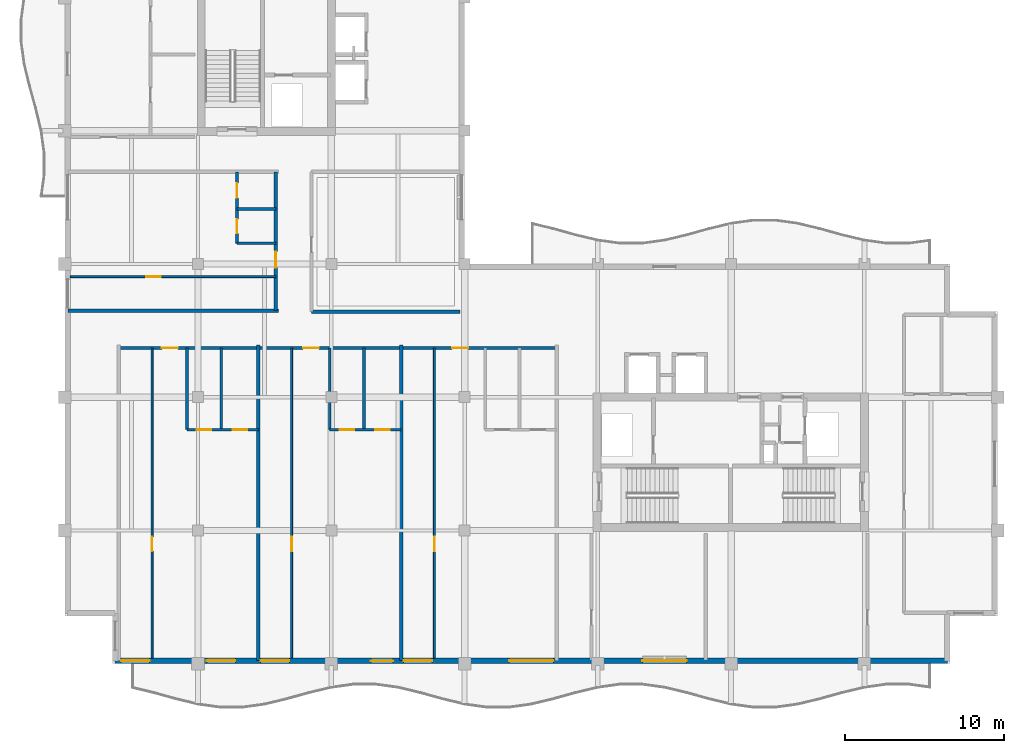
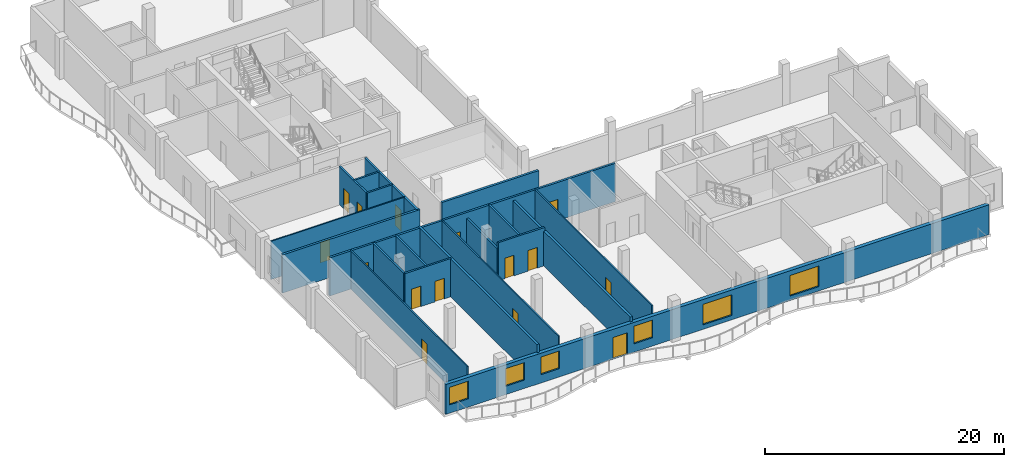
# One storey, part 3 of 11: 20 walls, 15 doors, 6 windows, 21 openings.
"""IFC4 building model written with IfcOpenShell, lengths in metres."""

from ifc_helpers import new_model, si_unit, direction, frame, frame_2d, origin, place, context, subcontext, project, spatial, rectangle, extrude, material, layer, layer_set, type_object, element, fill, save


model = new_model("IFC4")

# Units and contexts
model_context = context("Model", 3, precision=1e-05, world=origin(), true_north=direction((0.0, 1.0)))
body_context = subcontext(model_context, "Body", "Model", "MODEL_VIEW")
ifc_project = project(units=[si_unit("LENGTHUNIT", "METRE"), si_unit("AREAUNIT", "SQUARE_METRE"), si_unit("VOLUMEUNIT", "CUBIC_METRE"), si_unit("PLANEANGLEUNIT", "RADIAN"), si_unit("MASSUNIT", "GRAM", prefix="KILO")], contexts=[model_context])

# Site, building, storey
site_placement = place(None, origin())
site = spatial("IfcSite", under=ifc_project, at=site_placement, CompositionType="ELEMENT")
building_placement = place(site_placement, origin())
building = spatial("IfcBuilding", under=site, at=building_placement, Name="Koriwani Terraces Tower", CompositionType="ELEMENT")
storey_placement = place(building_placement, frame((0.0, 0.0, 359.60009765625)))
storey = spatial("IfcBuildingStorey", under=building, at=storey_placement, Name="L89", CompositionType="ELEMENT", Elevation=359.60009765625)

# Wall, openings, doors
ifc_material_1 = material(Name="Autoclaved Cellular Concrete Blockwork", Category="masonry")
ifc_layer_1 = layer(ifc_material_1, 0.199951171875, Name="Autoclaved Cellular Concrete Blockwork")
ifc_layer_set_1 = layer_set([ifc_layer_1], Name="Autoclaved Cellular Concrete Blockwork")
wall_type_1 = type_object("IfcWallType", Name="WALL_CORRIDOR_200", PredefinedType="PARTITIONING", material=ifc_layer_set_1)
wall_1_placement = place(storey_placement, frame((11.800048828125, 28.300048828125, 0.0), z_axis=(0.0, 0.0, 1.0), x_axis=(1.0, 0.0, 0.0)))
wall_1 = element("IfcWall", 1, at=wall_1_placement, inside=storey, type_object=wall_type_1, Name="L89 Interior Wall WRCOR-L89-SW-0", PredefinedType="PARTITIONING", context=body_context, shape_type="SweptSolid", body=[
    extrude(rectangle(XDim=27.599853515625, YDim=0.199951171875, at=frame_2d((13.7998046875, 0.0))), origin(), (0.0, 0.0, 1.0), 3.89990234375),
])
opening_1_placement = place(wall_1_placement, frame((2.719970703125, 0.0, 0.0)))
opening_1 = element("IfcOpeningElement", 2, at=opening_1_placement, cuts=wall_1, Name="Opening D-05", PredefinedType="OPENING", context=body_context, shape_type="SweptSolid", body=[
    extrude(rectangle(XDim=1.0, YDim=2.14990234375, at=frame_2d((0.5, 1.074951171875))), frame((0.0, 0.10986328125, 0.0), z_axis=(0.0, -1.0, 0.0), x_axis=(1.0, 0.0, 0.0)), (0.0, 0.0, 1.0), 0.219970703125),
])
opening_2_placement = place(wall_1_placement, frame((11.6201171875, 0.0, 0.0)))
opening_2 = element("IfcOpeningElement", 3, at=opening_2_placement, cuts=wall_1, Name="Opening D-05", PredefinedType="OPENING", context=body_context, shape_type="SweptSolid", body=[
    extrude(rectangle(XDim=1.0, YDim=2.14990234375, at=frame_2d((0.5, 1.074951171875))), frame((0.0, 0.10986328125, 0.0), z_axis=(0.0, -1.0, 0.0), x_axis=(1.0, 0.0, 0.0)), (0.0, 0.0, 1.0), 0.219970703125),
])
opening_3_placement = place(wall_1_placement, frame((21.02001953125, 0.0, 0.0)))
opening_3 = element("IfcOpeningElement", 4, at=opening_3_placement, cuts=wall_1, Name="Opening D-05", PredefinedType="OPENING", context=body_context, shape_type="SweptSolid", body=[
    extrude(rectangle(XDim=1.0, YDim=2.14990234375, at=frame_2d((0.5, 1.074951171875))), frame((0.0, 0.10986328125, 0.0), z_axis=(0.0, -1.0, 0.0), x_axis=(1.0, 0.0, 0.0)), (0.0, 0.0, 1.0), 0.219970703125),
])
ifc_material_2 = material(Name="Architectural Oak Fire Door", Category="wood")
door_type_1 = type_object("IfcDoorType", Name="DOOR_SUITE_ENTRY_1000X2150", OperationType="NOTDEFINED", PredefinedType="DOOR", material=ifc_material_2)
door_1_placement = place(opening_1_placement, origin())
door_1 = element("IfcDoor", 5, at=door_1_placement, inside=storey, type_object=door_type_1, Name="Penthouse 89SW1 Entrance Door", OperationType="SINGLE_SWING_RIGHT", OverallHeight=2.14990234375, OverallWidth=1.0, PredefinedType="DOOR", context=body_context, shape_type="SweptSolid", body=[
    extrude(rectangle(XDim=1.0, YDim=2.14990234375, at=frame_2d((0.5, 1.074951171875))), frame((0.0, 0.02490234375, 0.0), z_axis=(0.0, -1.0, 0.0), x_axis=(1.0, 0.0, 0.0)), (0.0, 0.0, 1.0), 0.050048828125),
])
fill(opening_1, door_1)
door_2_placement = place(opening_2_placement, origin())
door_2 = element("IfcDoor", 6, at=door_2_placement, inside=storey, type_object=door_type_1, Name="Penthouse 89SW2 Entrance Door", OperationType="SINGLE_SWING_RIGHT", OverallHeight=2.14990234375, OverallWidth=1.0, PredefinedType="DOOR", context=body_context, shape_type="SweptSolid", body=[
    extrude(rectangle(XDim=1.0, YDim=2.14990234375, at=frame_2d((0.5, 1.074951171875))), frame((0.0, 0.02490234375, 0.0), z_axis=(0.0, -1.0, 0.0), x_axis=(1.0, 0.0, 0.0)), (0.0, 0.0, 1.0), 0.050048828125),
])
fill(opening_2, door_2)
door_3_placement = place(opening_3_placement, origin())
door_3 = element("IfcDoor", 7, at=door_3_placement, inside=storey, type_object=door_type_1, Name="Penthouse 89SW3 Entrance Door", OperationType="SINGLE_SWING_RIGHT", OverallHeight=2.14990234375, OverallWidth=1.0, PredefinedType="DOOR", context=body_context, shape_type="SweptSolid", body=[
    extrude(rectangle(XDim=1.0, YDim=2.14990234375, at=frame_2d((0.5, 1.074951171875))), frame((0.0, 0.02490234375, 0.0), z_axis=(0.0, -1.0, 0.0), x_axis=(1.0, 0.0, 0.0)), (0.0, 0.0, 1.0), 0.050048828125),
])
fill(opening_3, door_3)

# Wall, opening, door
wall_2_placement = place(storey_placement, frame((21.699951171875, 30.64990234375, 0.0), z_axis=(0.0, 0.0, 1.0), x_axis=(0.0, 1.0, 0.0)))
wall_2 = element("IfcWall", 8, at=wall_2_placement, inside=storey, type_object=wall_type_1, Name="L89 Interior Wall WRCOR-L89-NE-0", PredefinedType="PARTITIONING", context=body_context, shape_type="SweptSolid", body=[
    extrude(rectangle(XDim=8.75, YDim=0.199951171875, at=frame_2d((4.375, 0.0))), origin(), (0.0, 0.0, 1.0), 3.89990234375),
])
opening_4_placement = place(wall_2_placement, frame((2.719970703125, 0.0, 0.0)))
opening_4 = element("IfcOpeningElement", 9, at=opening_4_placement, cuts=wall_2, Name="Opening D-05", PredefinedType="OPENING", context=body_context, shape_type="SweptSolid", body=[
    extrude(rectangle(XDim=1.0, YDim=2.14990234375, at=frame_2d((0.5, 1.074951171875))), frame((0.0, 0.10986328125, 0.0), z_axis=(0.0, -1.0, 0.0), x_axis=(1.0, 0.0, 0.0)), (0.0, 0.0, 1.0), 0.219970703125),
])
door_4_placement = place(opening_4_placement, origin())
door_4 = element("IfcDoor", 10, at=door_4_placement, inside=storey, type_object=door_type_1, Name="Penthouse 89NE1 Entrance Door", OperationType="SINGLE_SWING_RIGHT", OverallHeight=2.14990234375, OverallWidth=1.0, PredefinedType="DOOR", context=body_context, shape_type="SweptSolid", body=[
    extrude(rectangle(XDim=1.0, YDim=2.14990234375, at=frame_2d((0.5, 1.074951171875))), frame((0.0, 0.02490234375, 0.0), z_axis=(0.0, -1.0, 0.0), x_axis=(1.0, 0.0, 0.0)), (0.0, 0.0, 1.0), 0.050048828125),
])
fill(opening_4, door_4)

# Walls
ifc_layer_2 = layer(ifc_material_1, 0.219970703125, Name="Autoclaved Cellular Concrete Blockwork")
ifc_layer_set_2 = layer_set([ifc_layer_2], Name="Autoclaved Cellular Concrete Blockwork")
wall_type_2 = type_object("IfcWallType", Name="WALL_DEMISING_220", PredefinedType="PARTITIONING", material=ifc_layer_set_2)
wall_3_placement = place(storey_placement, frame((23.949951171875, 30.60009765625, 0.0), z_axis=(0.0, 0.0, 1.0), x_axis=(1.0, 0.0, 0.0)))
element("IfcWall", 11, at=wall_3_placement, inside=storey, type_object=wall_type_2, Name="L89 Interior Wall WIC4WS-L89", PredefinedType="PARTITIONING", context=body_context, shape_type="SweptSolid", body=[
    extrude(rectangle(XDim=9.35009765625, YDim=0.219970703125, at=frame_2d((4.675048828125, 0.0))), origin(), (0.0, 0.0, 1.0), 3.89990234375),
])
wall_4_placement = place(storey_placement, frame((20.60009765625, 8.60009765625, 0.0), z_axis=(0.0, 0.0, 1.0), x_axis=(0.0, 1.0, 0.0)))
element("IfcWall", 12, at=wall_4_placement, inside=storey, type_object=wall_type_2, Name="L89 Interior Wall WRDEM-L89-SW-1", PredefinedType="PARTITIONING", context=body_context, shape_type="SweptSolid", body=[
    extrude(rectangle(XDim=19.8798828125, YDim=0.219970703125, at=frame_2d((9.93994140625, 0.0))), origin(), (0.0, 0.0, 1.0), 3.89990234375),
])
wall_5_placement = place(storey_placement, frame((29.60009765625, 8.60009765625, 0.0), z_axis=(0.0, 0.0, 1.0), x_axis=(0.0, 1.0, 0.0)))
element("IfcWall", 13, at=wall_5_placement, inside=storey, type_object=wall_type_2, Name="L89 Interior Wall WRDEM-L89-SW-2", PredefinedType="PARTITIONING", context=body_context, shape_type="SweptSolid", body=[
    extrude(rectangle(XDim=19.8798828125, YDim=0.219970703125, at=frame_2d((9.93994140625, 0.0))), origin(), (0.0, 0.0, 1.0), 3.5458984375),
])
wall_6_placement = place(storey_placement, frame((8.60009765625, 30.64990234375, 0.0), z_axis=(0.0, 0.0, 1.0), x_axis=(1.0, 0.0, 0.0)))
element("IfcWall", 14, at=wall_6_placement, inside=storey, type_object=wall_type_2, Name="L89 Interior Wall WRDEM-L89-NE-0", PredefinedType="PARTITIONING", context=body_context, shape_type="SweptSolid", body=[
    extrude(rectangle(XDim=13.27978515625, YDim=0.219970703125, at=frame_2d((6.639892578125, 0.0))), origin(), (0.0, 0.0, 1.0), 3.89990234375),
])

# Wall, openings, door, windows
ifc_material_3 = material(Name="Concrete C50/60", Category="concrete")
ifc_layer_3 = layer(ifc_material_3, 0.35009765625, Name="Concrete C50/60")
ifc_layer_set_3 = layer_set([ifc_layer_3], Name="Concrete C50/60")
wall_type_3 = type_object("IfcWallType", Name="WALL_EXT_BRUTALIST_350", PredefinedType="STANDARD", material=ifc_layer_set_3)
wall_7_placement = place(storey_placement, frame((64.02490234375, 8.574951171875, 0.0), z_axis=(0.0, 0.0, 1.0), x_axis=(-1.0, 0.0, 0.0)))
wall_7 = element("IfcWall", 15, at=wall_7_placement, inside=storey, type_object=wall_type_3, Name="L89 Fair-Faced Brutalist Exterior Wall (S)", PredefinedType="STANDARD", context=body_context, shape_type="SweptSolid", body=[
    extrude(rectangle(XDim=52.449951171875, YDim=0.35009765625, at=frame_2d((26.22509765625, 0.0))), origin(), (0.0, 0.0, 1.0), 3.044921875),
])
opening_5_placement = place(wall_7_placement, frame((34.925048828125, 0.0, 0.0)))
opening_5 = element("IfcOpeningElement", 16, at=opening_5_placement, cuts=wall_7, Name="Opening D-09", PredefinedType="OPENING", context=body_context, shape_type="SweptSolid", body=[
    extrude(rectangle(XDim=1.39990234375, YDim=2.199951171875, at=frame_2d((0.699951171875, 1.10009765625))), frame((0.0, 0.18505859375, 0.0), z_axis=(0.0, -1.0, 0.0), x_axis=(1.0, 0.0, 0.0)), (0.0, 0.0, 1.0), 0.3701171875),
])
opening_6_placement = place(wall_7_placement, frame((24.824951171875, 0.0, 0.449951171875)))
opening_6 = element("IfcOpeningElement", 17, at=opening_6_placement, cuts=wall_7, Name="Opening W-05", PredefinedType="OPENING", context=body_context, shape_type="SweptSolid", body=[
    extrude(rectangle(XDim=2.800048828125, YDim=2.10009765625, at=frame_2d((1.39990234375, 1.050048828125))), frame((0.0, 0.18505859375, 0.0), z_axis=(0.0, -1.0, 0.0), x_axis=(1.0, 0.0, 0.0)), (0.0, 0.0, 1.0), 0.3701171875),
])
opening_7_placement = place(wall_7_placement, frame((16.425048828125, 0.0, 0.449951171875)))
opening_7 = element("IfcOpeningElement", 18, at=opening_7_placement, cuts=wall_7, Name="Opening W-05", PredefinedType="OPENING", context=body_context, shape_type="SweptSolid", body=[
    extrude(rectangle(XDim=2.800048828125, YDim=2.10009765625, at=frame_2d((1.39990234375, 1.050048828125))), frame((0.0, 0.18505859375, 0.0), z_axis=(0.0, -1.0, 0.0), x_axis=(1.0, 0.0, 0.0)), (0.0, 0.0, 1.0), 0.3701171875),
])
opening_8_placement = place(wall_7_placement, frame((50.27490234375, 0.0, 0.85009765625)))
opening_8 = element("IfcOpeningElement", 19, at=opening_8_placement, cuts=wall_7, Name="Opening W-04", PredefinedType="OPENING", context=body_context, shape_type="SweptSolid", body=[
    extrude(rectangle(XDim=1.800048828125, YDim=1.800048828125, at=frame_2d((0.89990234375, 0.89990234375))), frame((0.0, 0.18505859375, 0.0), z_axis=(0.0, -1.0, 0.0), x_axis=(1.0, 0.0, 0.0)), (0.0, 0.0, 1.0), 0.3701171875),
])
opening_9_placement = place(wall_7_placement, frame((44.875, 0.0, 0.85009765625)))
opening_9 = element("IfcOpeningElement", 20, at=opening_9_placement, cuts=wall_7, Name="Opening W-04", PredefinedType="OPENING", context=body_context, shape_type="SweptSolid", body=[
    extrude(rectangle(XDim=1.800048828125, YDim=1.800048828125, at=frame_2d((0.89990234375, 0.89990234375))), frame((0.0, 0.18505859375, 0.0), z_axis=(0.0, -1.0, 0.0), x_axis=(1.0, 0.0, 0.0)), (0.0, 0.0, 1.0), 0.3701171875),
])
opening_10_placement = place(wall_7_placement, frame((41.47509765625, 0.0, 0.85009765625)))
opening_10 = element("IfcOpeningElement", 21, at=opening_10_placement, cuts=wall_7, Name="Opening W-04", PredefinedType="OPENING", context=body_context, shape_type="SweptSolid", body=[
    extrude(rectangle(XDim=1.800048828125, YDim=1.800048828125, at=frame_2d((0.89990234375, 0.89990234375))), frame((0.0, 0.18505859375, 0.0), z_axis=(0.0, -1.0, 0.0), x_axis=(1.0, 0.0, 0.0)), (0.0, 0.0, 1.0), 0.3701171875),
])
opening_11_placement = place(wall_7_placement, frame((32.47509765625, 0.0, 0.85009765625)))
opening_11 = element("IfcOpeningElement", 22, at=opening_11_placement, cuts=wall_7, Name="Opening W-04", PredefinedType="OPENING", context=body_context, shape_type="SweptSolid", body=[
    extrude(rectangle(XDim=1.800048828125, YDim=1.800048828125, at=frame_2d((0.89990234375, 0.89990234375))), frame((0.0, 0.18505859375, 0.0), z_axis=(0.0, -1.0, 0.0), x_axis=(1.0, 0.0, 0.0)), (0.0, 0.0, 1.0), 0.3701171875),
])
ifc_material_4 = material(Name="Anodised Bronze Aluminium", Category="aluminium")
door_type_2 = type_object("IfcDoorType", Name="DOOR_BALCONY_GLAZED_1400X2200", OperationType="NOTDEFINED", PredefinedType="DOOR", material=ifc_material_4)
door_5_placement = place(opening_5_placement, origin())
door_5 = element("IfcDoor", 23, at=door_5_placement, inside=storey, type_object=door_type_2, Name="L89 South Balcony Glazed Door", OperationType="SINGLE_SWING_LEFT", OverallHeight=2.199951171875, OverallWidth=1.39990234375, PredefinedType="DOOR", context=body_context, shape_type="SweptSolid", body=[
    extrude(rectangle(XDim=1.39990234375, YDim=2.199951171875, at=frame_2d((0.699951171875, 1.10009765625))), frame((0.0, 0.02490234375, 0.0), z_axis=(0.0, -1.0, 0.0), x_axis=(1.0, 0.0, 0.0)), (0.0, 0.0, 1.0), 0.050048828125),
])
fill(opening_5, door_5)
ifc_material_5 = material(Name="Tempered Laminated Low-E Glass", Category="glass")
window_type_1 = type_object("IfcWindowType", Name="WIN_PENTHOUSE_2800X2100", PartitioningType="TRIPLE_PANEL_VERTICAL", PredefinedType="WINDOW", material=ifc_material_5)
window_1_placement = place(opening_6_placement, origin())
window_1 = element("IfcWindow", 24, at=window_1_placement, inside=storey, type_object=window_type_1, Name="L89 Exterior Window (S-9)", OverallHeight=2.10009765625, OverallWidth=2.800048828125, PartitioningType="SINGLE_PANEL", PredefinedType="WINDOW", context=body_context, shape_type="SweptSolid", body=[
    extrude(rectangle(XDim=2.800048828125, YDim=2.10009765625, at=frame_2d((1.39990234375, 1.050048828125))), frame((0.0, 0.030029296875, 0.0), z_axis=(0.0, -1.0, 0.0), x_axis=(1.0, 0.0, 0.0)), (0.0, 0.0, 1.0), 0.06005859375),
])
fill(opening_6, window_1)
window_2_placement = place(opening_7_placement, origin())
window_2 = element("IfcWindow", 25, at=window_2_placement, inside=storey, type_object=window_type_1, Name="L89 Exterior Window (S-12)", OverallHeight=2.10009765625, OverallWidth=2.800048828125, PartitioningType="SINGLE_PANEL", PredefinedType="WINDOW", context=body_context, shape_type="SweptSolid", body=[
    extrude(rectangle(XDim=2.800048828125, YDim=2.10009765625, at=frame_2d((1.39990234375, 1.050048828125))), frame((0.0, 0.030029296875, 0.0), z_axis=(0.0, -1.0, 0.0), x_axis=(1.0, 0.0, 0.0)), (0.0, 0.0, 1.0), 0.06005859375),
])
fill(opening_7, window_2)
window_type_2 = type_object("IfcWindowType", Name="WIN_RES_BED_1800X1800", PartitioningType="DOUBLE_PANEL_VERTICAL", PredefinedType="WINDOW", material=ifc_material_5)
window_3_placement = place(opening_8_placement, origin())
window_3 = element("IfcWindow", 26, at=window_3_placement, inside=storey, type_object=window_type_2, Name="L89 Exterior Window (S-R33)", OverallHeight=1.800048828125, OverallWidth=1.800048828125, PartitioningType="SINGLE_PANEL", PredefinedType="WINDOW", context=body_context, shape_type="SweptSolid", body=[
    extrude(rectangle(XDim=1.800048828125, YDim=1.800048828125, at=frame_2d((0.89990234375, 0.89990234375))), frame((0.0, 0.030029296875, 0.0), z_axis=(0.0, -1.0, 0.0), x_axis=(1.0, 0.0, 0.0)), (0.0, 0.0, 1.0), 0.06005859375),
])
fill(opening_8, window_3)
window_4_placement = place(opening_9_placement, origin())
window_4 = element("IfcWindow", 27, at=window_4_placement, inside=storey, type_object=window_type_2, Name="L89 Exterior Window (S-R34)", OverallHeight=1.800048828125, OverallWidth=1.800048828125, PartitioningType="SINGLE_PANEL", PredefinedType="WINDOW", context=body_context, shape_type="SweptSolid", body=[
    extrude(rectangle(XDim=1.800048828125, YDim=1.800048828125, at=frame_2d((0.89990234375, 0.89990234375))), frame((0.0, 0.030029296875, 0.0), z_axis=(0.0, -1.0, 0.0), x_axis=(1.0, 0.0, 0.0)), (0.0, 0.0, 1.0), 0.06005859375),
])
fill(opening_9, window_4)
window_5_placement = place(opening_10_placement, origin())
window_5 = element("IfcWindow", 28, at=window_5_placement, inside=storey, type_object=window_type_2, Name="L89 Exterior Window (S-R37)", OverallHeight=1.800048828125, OverallWidth=1.800048828125, PartitioningType="SINGLE_PANEL", PredefinedType="WINDOW", context=body_context, shape_type="SweptSolid", body=[
    extrude(rectangle(XDim=1.800048828125, YDim=1.800048828125, at=frame_2d((0.89990234375, 0.89990234375))), frame((0.0, 0.030029296875, 0.0), z_axis=(0.0, -1.0, 0.0), x_axis=(1.0, 0.0, 0.0)), (0.0, 0.0, 1.0), 0.06005859375),
])
fill(opening_10, window_5)
window_6_placement = place(opening_11_placement, origin())
window_6 = element("IfcWindow", 29, at=window_6_placement, inside=storey, type_object=window_type_2, Name="L89 Exterior Window (S-R41)", OverallHeight=1.800048828125, OverallWidth=1.800048828125, PartitioningType="SINGLE_PANEL", PredefinedType="WINDOW", context=body_context, shape_type="SweptSolid", body=[
    extrude(rectangle(XDim=1.800048828125, YDim=1.800048828125, at=frame_2d((0.89990234375, 0.89990234375))), frame((0.0, 0.030029296875, 0.0), z_axis=(0.0, -1.0, 0.0), x_axis=(1.0, 0.0, 0.0)), (0.0, 0.0, 1.0), 0.06005859375),
])
fill(opening_11, window_6)

# Wall, opening, door
ifc_material_6 = material(Name="Fire-Rated Acoustic Gypsum Partition", Category="masonry")
ifc_layer_4 = layer(ifc_material_6, 0.125, Name="Fire-Rated Acoustic Gypsum Partition")
ifc_layer_set_4 = layer_set([ifc_layer_4], Name="Fire-Rated Acoustic Gypsum Partition")
wall_type_4 = type_object("IfcWallType", Name="WALL_INT_125", PredefinedType="PARTITIONING", material=ifc_layer_set_4)
wall_8_placement = place(storey_placement, frame((13.89990234375, 8.75, 0.0), z_axis=(0.0, 0.0, 1.0), x_axis=(0.0, 1.0, 0.0)))
wall_8 = element("IfcWall", 30, at=wall_8_placement, inside=storey, type_object=wall_type_4, Name="L89 Interior Wall WRBED1-L89-SW-0", PredefinedType="PARTITIONING", context=body_context, shape_type="SweptSolid", body=[
    extrude(rectangle(XDim=19.550048828125, YDim=0.125, at=frame_2d((9.77490234375, 0.0))), origin(), (0.0, 0.0, 1.0), 3.89990234375),
])
opening_12_placement = place(wall_8_placement, frame((6.739990234375, 0.0, 0.0)))
opening_12 = element("IfcOpeningElement", 31, at=opening_12_placement, cuts=wall_8, Name="Opening D-06", PredefinedType="OPENING", context=body_context, shape_type="SweptSolid", body=[
    extrude(rectangle(XDim=0.919921875, YDim=2.10009765625, at=frame_2d((0.4599609375, 1.050048828125))), frame((0.0, 0.072509765625, 0.0), z_axis=(0.0, -1.0, 0.0), x_axis=(1.0, 0.0, 0.0)), (0.0, 0.0, 1.0), 0.14501953125),
])
door_type_3 = type_object("IfcDoorType", Name="DOOR_ROOM_INT_920X2100", OperationType="NOTDEFINED", PredefinedType="DOOR", material=ifc_material_2)
door_6_placement = place(opening_12_placement, origin())
door_6 = element("IfcDoor", 32, at=door_6_placement, inside=storey, type_object=door_type_3, Name="Penthouse 89SW1 Master Bedroom Door", OperationType="SINGLE_SWING_LEFT", OverallHeight=2.10009765625, OverallWidth=0.919921875, PredefinedType="DOOR", context=body_context, shape_type="SweptSolid", body=[
    extrude(rectangle(XDim=0.919921875, YDim=2.10009765625, at=frame_2d((0.4599609375, 1.050048828125))), frame((0.0, 0.02490234375, 0.0), z_axis=(0.0, -1.0, 0.0), x_axis=(1.0, 0.0, 0.0)), (0.0, 0.0, 1.0), 0.050048828125),
])
fill(opening_12, door_6)

wall_9_placement = place(storey_placement, frame((22.699951171875, 8.75, 0.0), z_axis=(0.0, 0.0, 1.0), x_axis=(0.0, 1.0, 0.0)))
wall_9 = element("IfcWall", 33, at=wall_9_placement, inside=storey, type_object=wall_type_4, Name="L89 Interior Wall WRBED1-L89-SW-1", PredefinedType="PARTITIONING", context=body_context, shape_type="SweptSolid", body=[
    extrude(rectangle(XDim=19.550048828125, YDim=0.125, at=frame_2d((9.77490234375, 0.0))), origin(), (0.0, 0.0, 1.0), 3.89990234375),
])
opening_13_placement = place(wall_9_placement, frame((6.739990234375, 0.0, 0.0)))
opening_13 = element("IfcOpeningElement", 34, at=opening_13_placement, cuts=wall_9, Name="Opening D-06", PredefinedType="OPENING", context=body_context, shape_type="SweptSolid", body=[
    extrude(rectangle(XDim=0.919921875, YDim=2.10009765625, at=frame_2d((0.4599609375, 1.050048828125))), frame((0.0, 0.072509765625, 0.0), z_axis=(0.0, -1.0, 0.0), x_axis=(1.0, 0.0, 0.0)), (0.0, 0.0, 1.0), 0.14501953125),
])
door_7_placement = place(opening_13_placement, origin())
door_7 = element("IfcDoor", 35, at=door_7_placement, inside=storey, type_object=door_type_3, Name="Penthouse 89SW2 Master Bedroom Door", OperationType="SINGLE_SWING_LEFT", OverallHeight=2.10009765625, OverallWidth=0.919921875, PredefinedType="DOOR", context=body_context, shape_type="SweptSolid", body=[
    extrude(rectangle(XDim=0.919921875, YDim=2.10009765625, at=frame_2d((0.4599609375, 1.050048828125))), frame((0.0, 0.02490234375, 0.0), z_axis=(0.0, -1.0, 0.0), x_axis=(1.0, 0.0, 0.0)), (0.0, 0.0, 1.0), 0.050048828125),
])
fill(opening_13, door_7)

wall_10_placement = place(storey_placement, frame((31.699951171875, 8.75, 0.0), z_axis=(0.0, 0.0, 1.0), x_axis=(0.0, 1.0, 0.0)))
wall_10 = element("IfcWall", 36, at=wall_10_placement, inside=storey, type_object=wall_type_4, Name="L89 Interior Wall WRBED1-L89-SW-2", PredefinedType="PARTITIONING", context=body_context, shape_type="SweptSolid", body=[
    extrude(rectangle(XDim=19.550048828125, YDim=0.125, at=frame_2d((9.77490234375, 0.0))), origin(), (0.0, 0.0, 1.0), 3.89990234375),
])
opening_14_placement = place(wall_10_placement, frame((6.739990234375, 0.0, 0.0)))
opening_14 = element("IfcOpeningElement", 37, at=opening_14_placement, cuts=wall_10, Name="Opening D-06", PredefinedType="OPENING", context=body_context, shape_type="SweptSolid", body=[
    extrude(rectangle(XDim=0.919921875, YDim=2.10009765625, at=frame_2d((0.4599609375, 1.050048828125))), frame((0.0, 0.072509765625, 0.0), z_axis=(0.0, -1.0, 0.0), x_axis=(1.0, 0.0, 0.0)), (0.0, 0.0, 1.0), 0.14501953125),
])
door_8_placement = place(opening_14_placement, origin())
door_8 = element("IfcDoor", 38, at=door_8_placement, inside=storey, type_object=door_type_3, Name="Penthouse 89SW3 Master Bedroom Door", OperationType="SINGLE_SWING_LEFT", OverallHeight=2.10009765625, OverallWidth=0.919921875, PredefinedType="DOOR", context=body_context, shape_type="SweptSolid", body=[
    extrude(rectangle(XDim=0.919921875, YDim=2.10009765625, at=frame_2d((0.4599609375, 1.050048828125))), frame((0.0, 0.02490234375, 0.0), z_axis=(0.0, -1.0, 0.0), x_axis=(1.0, 0.0, 0.0)), (0.0, 0.0, 1.0), 0.050048828125),
])
fill(opening_14, door_8)

wall_11_placement = place(storey_placement, frame((8.75, 32.800048828125, 0.0), z_axis=(0.0, 0.0, 1.0), x_axis=(1.0, 0.0, 0.0)))
wall_11 = element("IfcWall", 39, at=wall_11_placement, inside=storey, type_object=wall_type_4, Name="L89 Interior Wall WRBED1-L89-NE-0", PredefinedType="PARTITIONING", context=body_context, shape_type="SweptSolid", body=[
    extrude(rectangle(XDim=12.949951171875, YDim=0.125, at=frame_2d((6.47509765625, 0.0))), origin(), (0.0, 0.0, 1.0), 3.89990234375),
])
opening_15_placement = place(wall_11_placement, frame((4.7900390625, 0.0, 0.0)))
opening_15 = element("IfcOpeningElement", 40, at=opening_15_placement, cuts=wall_11, Name="Opening D-06", PredefinedType="OPENING", context=body_context, shape_type="SweptSolid", body=[
    extrude(rectangle(XDim=0.919921875, YDim=2.10009765625, at=frame_2d((0.4599609375, 1.050048828125))), frame((0.0, 0.072509765625, 0.0), z_axis=(0.0, -1.0, 0.0), x_axis=(1.0, 0.0, 0.0)), (0.0, 0.0, 1.0), 0.14501953125),
])
door_9_placement = place(opening_15_placement, origin())
door_9 = element("IfcDoor", 41, at=door_9_placement, inside=storey, type_object=door_type_3, Name="Penthouse 89NE1 Master Bedroom Door", OperationType="SINGLE_SWING_LEFT", OverallHeight=2.10009765625, OverallWidth=0.919921875, PredefinedType="DOOR", context=body_context, shape_type="SweptSolid", body=[
    extrude(rectangle(XDim=0.919921875, YDim=2.10009765625, at=frame_2d((0.4599609375, 1.050048828125))), frame((0.0, 0.02490234375, 0.0), z_axis=(0.0, -1.0, 0.0), x_axis=(1.0, 0.0, 0.0)), (0.0, 0.0, 1.0), 0.050048828125),
])
fill(opening_15, door_9)

# Wall, openings, doors
ifc_layer_5 = layer(ifc_material_6, 0.179931640625, Name="Fire-Rated Acoustic Gypsum Partition")
ifc_layer_set_5 = layer_set([ifc_layer_5], Name="Fire-Rated Acoustic Gypsum Partition")
wall_type_5 = type_object("IfcWallType", Name="WALL_PLUMBING_180", PredefinedType="PLUMBINGWALL", material=ifc_layer_set_5)
wall_12_placement = place(storey_placement, frame((16.10009765625, 23.14990234375, 0.0), z_axis=(0.0, 0.0, 1.0), x_axis=(1.0, 0.0, 0.0)))
wall_12 = element("IfcWall", 42, at=wall_12_placement, inside=storey, type_object=wall_type_5, Name="L89 Interior Wall WRSVC-L89-SW-0", PredefinedType="PLUMBINGWALL", context=body_context, shape_type="SweptSolid", body=[
    extrude(rectangle(XDim=4.5, YDim=0.179931640625, at=frame_2d((2.25, 0.0))), origin(), (0.0, 0.0, 1.0), 3.89990234375),
])
opening_16_placement = place(wall_12_placement, frame((0.6298828125, 0.0, 0.0)))
opening_16 = element("IfcOpeningElement", 43, at=opening_16_placement, cuts=wall_12, Name="Opening D-07", PredefinedType="OPENING", context=body_context, shape_type="SweptSolid", body=[
    extrude(rectangle(XDim=0.89990234375, YDim=2.10009765625, at=frame_2d((0.449951171875, 1.050048828125))), frame((0.0, 0.10009765625, 0.0), z_axis=(0.0, -1.0, 0.0), x_axis=(1.0, 0.0, 0.0)), (0.0, 0.0, 1.0), 0.199951171875),
])
opening_17_placement = place(wall_12_placement, frame((2.8701171875, 0.0, 0.0)))
opening_17 = element("IfcOpeningElement", 44, at=opening_17_placement, cuts=wall_12, Name="Opening D-06", PredefinedType="OPENING", context=body_context, shape_type="SweptSolid", body=[
    extrude(rectangle(XDim=0.919921875, YDim=2.10009765625, at=frame_2d((0.4599609375, 1.050048828125))), frame((0.0, 0.10009765625, 0.0), z_axis=(0.0, -1.0, 0.0), x_axis=(1.0, 0.0, 0.0)), (0.0, 0.0, 1.0), 0.199951171875),
])
door_type_4 = type_object("IfcDoorType", Name="DOOR_BATH_INT_900X2100", OperationType="NOTDEFINED", PredefinedType="DOOR", material=ifc_material_2)
door_10_placement = place(opening_16_placement, origin())
door_10 = element("IfcDoor", 45, at=door_10_placement, inside=storey, type_object=door_type_4, Name="Penthouse 89SW1 Bathroom Door", OperationType="SINGLE_SWING_LEFT", OverallHeight=2.10009765625, OverallWidth=0.89990234375, PredefinedType="DOOR", context=body_context, shape_type="SweptSolid", body=[
    extrude(rectangle(XDim=0.89990234375, YDim=2.10009765625, at=frame_2d((0.449951171875, 1.050048828125))), frame((0.0, 0.02490234375, 0.0), z_axis=(0.0, -1.0, 0.0), x_axis=(1.0, 0.0, 0.0)), (0.0, 0.0, 1.0), 0.050048828125),
])
fill(opening_16, door_10)
door_11_placement = place(opening_17_placement, origin())
door_11 = element("IfcDoor", 46, at=door_11_placement, inside=storey, type_object=door_type_3, Name="Penthouse 89SW1 Kitchen Door", OperationType="SINGLE_SWING_RIGHT", OverallHeight=2.10009765625, OverallWidth=0.919921875, PredefinedType="DOOR", context=body_context, shape_type="SweptSolid", body=[
    extrude(rectangle(XDim=0.919921875, YDim=2.10009765625, at=frame_2d((0.4599609375, 1.050048828125))), frame((0.0, 0.02490234375, 0.0), z_axis=(0.0, -1.0, 0.0), x_axis=(1.0, 0.0, 0.0)), (0.0, 0.0, 1.0), 0.050048828125),
])
fill(opening_17, door_11)

# Walls
for number, where, z_axis, x_axis, name in (
    (47, (16.10009765625, 23.14990234375, 0.0), (0.0, 0.0, 1.0), (0.0, 1.0, 0.0), "L89 Interior Wall WRSVCS-L89-SW-0"),
    (48, (18.260009765625, 23.14990234375, 0.0), (0.0, 0.0, 1.0), (0.0, 1.0, 0.0), "L89 Interior Wall WRSVCM-L89-SW-0"),
):
    element("IfcWall", number, at=place(storey_placement, frame(where, z_axis=z_axis, x_axis=x_axis)), inside=storey, type_object=wall_type_5, Name=name, PredefinedType="PLUMBINGWALL", context=body_context, shape_type="SweptSolid", body=[
        extrude(rectangle(XDim=5.150146484375, YDim=0.179931640625, at=frame_2d((2.5751953125, 0.0))), origin(), (0.0, 0.0, 1.0), 3.89990234375),
    ])

# Wall, openings, doors
wall_13_placement = place(storey_placement, frame((25.10009765625, 23.14990234375, 0.0), z_axis=(0.0, 0.0, 1.0), x_axis=(1.0, 0.0, 0.0)))
wall_13 = element("IfcWall", 49, at=wall_13_placement, inside=storey, type_object=wall_type_5, Name="L89 Interior Wall WRSVC-L89-SW-1", PredefinedType="PLUMBINGWALL", context=body_context, shape_type="SweptSolid", body=[
    extrude(rectangle(XDim=4.5, YDim=0.179931640625, at=frame_2d((2.25, 0.0))), origin(), (0.0, 0.0, 1.0), 3.89990234375),
])
opening_18_placement = place(wall_13_placement, frame((0.6298828125, 0.0, 0.0)))
opening_18 = element("IfcOpeningElement", 50, at=opening_18_placement, cuts=wall_13, Name="Opening D-07", PredefinedType="OPENING", context=body_context, shape_type="SweptSolid", body=[
    extrude(rectangle(XDim=0.89990234375, YDim=2.10009765625, at=frame_2d((0.449951171875, 1.050048828125))), frame((0.0, 0.10009765625, 0.0), z_axis=(0.0, -1.0, 0.0), x_axis=(1.0, 0.0, 0.0)), (0.0, 0.0, 1.0), 0.199951171875),
])
opening_19_placement = place(wall_13_placement, frame((2.8701171875, 0.0, 0.0)))
opening_19 = element("IfcOpeningElement", 51, at=opening_19_placement, cuts=wall_13, Name="Opening D-06", PredefinedType="OPENING", context=body_context, shape_type="SweptSolid", body=[
    extrude(rectangle(XDim=0.919921875, YDim=2.10009765625, at=frame_2d((0.4599609375, 1.050048828125))), frame((0.0, 0.10009765625, 0.0), z_axis=(0.0, -1.0, 0.0), x_axis=(1.0, 0.0, 0.0)), (0.0, 0.0, 1.0), 0.199951171875),
])
door_12_placement = place(opening_18_placement, origin())
door_12 = element("IfcDoor", 52, at=door_12_placement, inside=storey, type_object=door_type_4, Name="Penthouse 89SW2 Bathroom Door", OperationType="SINGLE_SWING_LEFT", OverallHeight=2.10009765625, OverallWidth=0.89990234375, PredefinedType="DOOR", context=body_context, shape_type="SweptSolid", body=[
    extrude(rectangle(XDim=0.89990234375, YDim=2.10009765625, at=frame_2d((0.449951171875, 1.050048828125))), frame((0.0, 0.02490234375, 0.0), z_axis=(0.0, -1.0, 0.0), x_axis=(1.0, 0.0, 0.0)), (0.0, 0.0, 1.0), 0.050048828125),
])
fill(opening_18, door_12)
door_13_placement = place(opening_19_placement, origin())
door_13 = element("IfcDoor", 53, at=door_13_placement, inside=storey, type_object=door_type_3, Name="Penthouse 89SW2 Kitchen Door", OperationType="SINGLE_SWING_RIGHT", OverallHeight=2.10009765625, OverallWidth=0.919921875, PredefinedType="DOOR", context=body_context, shape_type="SweptSolid", body=[
    extrude(rectangle(XDim=0.919921875, YDim=2.10009765625, at=frame_2d((0.4599609375, 1.050048828125))), frame((0.0, 0.02490234375, 0.0), z_axis=(0.0, -1.0, 0.0), x_axis=(1.0, 0.0, 0.0)), (0.0, 0.0, 1.0), 0.050048828125),
])
fill(opening_19, door_13)

# Walls
wall_14_placement = place(storey_placement, frame((25.10009765625, 23.14990234375, 0.0), z_axis=(0.0, 0.0, 1.0), x_axis=(0.0, 1.0, 0.0)))
element("IfcWall", 54, at=wall_14_placement, inside=storey, type_object=wall_type_5, Name="L89 Interior Wall WRSVCS-L89-SW-1", PredefinedType="PLUMBINGWALL", context=body_context, shape_type="SweptSolid", body=[
    extrude(rectangle(XDim=5.150146484375, YDim=0.179931640625, at=frame_2d((2.5751953125, 0.0))), origin(), (0.0, 0.0, 1.0), 3.2998046875),
])
wall_15_placement = place(storey_placement, frame((27.260009765625, 23.14990234375, 0.0), z_axis=(0.0, 0.0, 1.0), x_axis=(0.0, 1.0, 0.0)))
element("IfcWall", 55, at=wall_15_placement, inside=storey, type_object=wall_type_5, Name="L89 Interior Wall WRSVCM-L89-SW-1", PredefinedType="PLUMBINGWALL", context=body_context, shape_type="SweptSolid", body=[
    extrude(rectangle(XDim=5.150146484375, YDim=0.179931640625, at=frame_2d((2.5751953125, 0.0))), origin(), (0.0, 0.0, 1.0), 3.89990234375),
])

# Wall, openings, doors
wall_16_placement = place(storey_placement, frame((19.25, 34.89990234375, 0.0), z_axis=(0.0, 0.0, 1.0), x_axis=(0.0, 1.0, 0.0)))
wall_16 = element("IfcWall", 56, at=wall_16_placement, inside=storey, type_object=wall_type_5, Name="L89 Interior Wall WRSVC-L89-NE-0", PredefinedType="PLUMBINGWALL", context=body_context, shape_type="SweptSolid", body=[
    extrude(rectangle(XDim=4.5, YDim=0.179931640625, at=frame_2d((2.25, 0.0))), origin(), (0.0, 0.0, 1.0), 3.89990234375),
])
opening_20_placement = place(wall_16_placement, frame((0.6298828125, 0.0, 0.0)))
opening_20 = element("IfcOpeningElement", 57, at=opening_20_placement, cuts=wall_16, Name="Opening D-07", PredefinedType="OPENING", context=body_context, shape_type="SweptSolid", body=[
    extrude(rectangle(XDim=0.89990234375, YDim=2.10009765625, at=frame_2d((0.449951171875, 1.050048828125))), frame((0.0, 0.10009765625, 0.0), z_axis=(0.0, -1.0, 0.0), x_axis=(1.0, 0.0, 0.0)), (0.0, 0.0, 1.0), 0.199951171875),
])
opening_21_placement = place(wall_16_placement, frame((2.8701171875, 0.0, 0.0)))
opening_21 = element("IfcOpeningElement", 58, at=opening_21_placement, cuts=wall_16, Name="Opening D-06", PredefinedType="OPENING", context=body_context, shape_type="SweptSolid", body=[
    extrude(rectangle(XDim=0.919921875, YDim=2.10009765625, at=frame_2d((0.4599609375, 1.050048828125))), frame((0.0, 0.10009765625, 0.0), z_axis=(0.0, -1.0, 0.0), x_axis=(1.0, 0.0, 0.0)), (0.0, 0.0, 1.0), 0.199951171875),
])
door_14_placement = place(opening_20_placement, origin())
door_14 = element("IfcDoor", 59, at=door_14_placement, inside=storey, type_object=door_type_4, Name="Penthouse 89NE1 Bathroom Door", OperationType="SINGLE_SWING_LEFT", OverallHeight=2.10009765625, OverallWidth=0.89990234375, PredefinedType="DOOR", context=body_context, shape_type="SweptSolid", body=[
    extrude(rectangle(XDim=0.89990234375, YDim=2.10009765625, at=frame_2d((0.449951171875, 1.050048828125))), frame((0.0, 0.02490234375, 0.0), z_axis=(0.0, -1.0, 0.0), x_axis=(1.0, 0.0, 0.0)), (0.0, 0.0, 1.0), 0.050048828125),
])
fill(opening_20, door_14)
door_15_placement = place(opening_21_placement, origin())
door_15 = element("IfcDoor", 60, at=door_15_placement, inside=storey, type_object=door_type_3, Name="Penthouse 89NE1 Kitchen Door", OperationType="SINGLE_SWING_RIGHT", OverallHeight=2.10009765625, OverallWidth=0.919921875, PredefinedType="DOOR", context=body_context, shape_type="SweptSolid", body=[
    extrude(rectangle(XDim=0.919921875, YDim=2.10009765625, at=frame_2d((0.4599609375, 1.050048828125))), frame((0.0, 0.02490234375, 0.0), z_axis=(0.0, -1.0, 0.0), x_axis=(1.0, 0.0, 0.0)), (0.0, 0.0, 1.0), 0.050048828125),
])
fill(opening_21, door_15)

# Walls
for number, where, z_axis, x_axis, name in (
    (61, (19.25, 34.89990234375, 0.0), (0.0, 0.0, 1.0), (1.0, 0.0, 0.0), "L89 Interior Wall WRSVCS-L89-NE-0"),
    (62, (19.25, 37.06005859375, 0.0), (0.0, 0.0, 1.0), (1.0, 0.0, 0.0), "L89 Interior Wall WRSVCM-L89-NE-0"),
):
    element("IfcWall", number, at=place(storey_placement, frame(where, z_axis=z_axis, x_axis=x_axis)), inside=storey, type_object=wall_type_5, Name=name, PredefinedType="PLUMBINGWALL", context=body_context, shape_type="SweptSolid", body=[
        extrude(rectangle(XDim=2.449951171875, YDim=0.179931640625, at=frame_2d((1.22509765625, 0.0))), origin(), (0.0, 0.0, 1.0), 3.89990234375),
    ])

save(model, "model.ifc")
